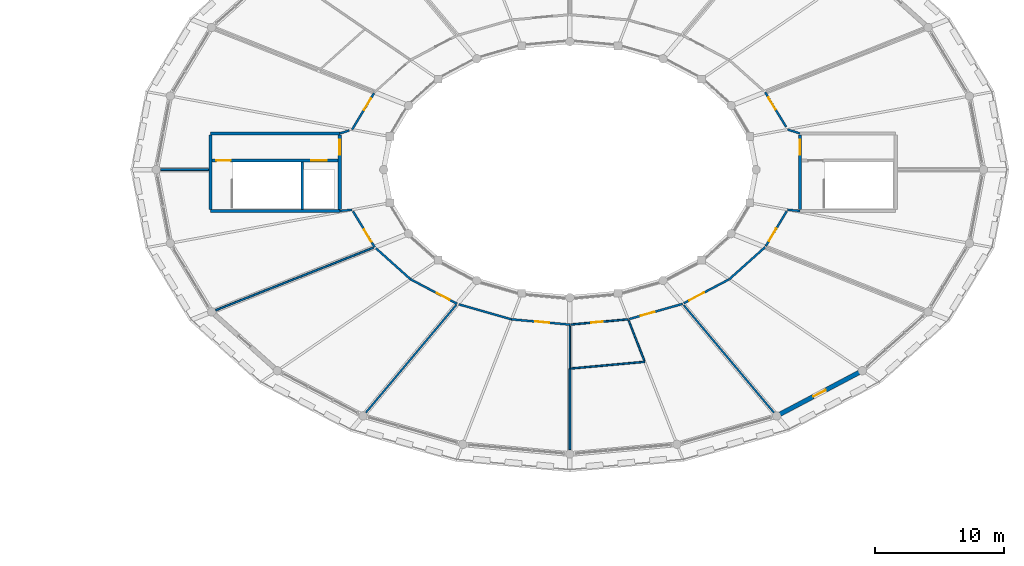
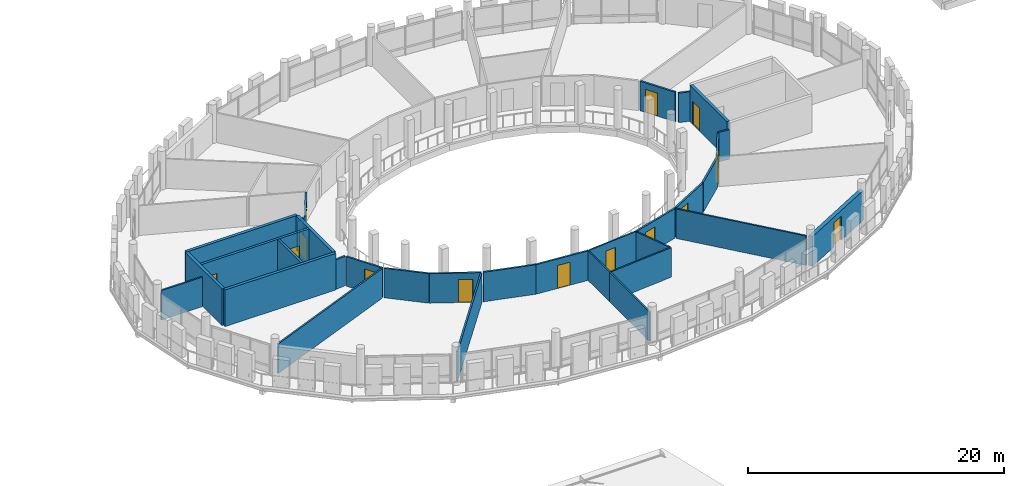
# One storey, part 70 of 84: 32 walls, 14 doors, 14 openings.
"""IFC4 building model written with IfcOpenShell, lengths in metres."""

import ifcopenshell
import ifcopenshell.guid

model = None  # the IFC model being written
_history = None  # IfcOwnerHistory: only IFC2X3 demands one
_inside = {}  # id of a spatial element -> (the spatial element, [elements in it])
_under = {}  # id of a project, library or spatial element -> (it, [spatial elements below it])
_declared = {}  # id of a project -> (the project, [libraries it declares])
_typed = {}  # id of a type object -> (the type object, [elements of that type])
_made_of = {}  # id of a material, layer set ... -> (it, [elements and type objects made of it])


def new_model(schema):
    """Start an empty IFC model of exactly this schema.

    Asked for "IFC4X3", IfcOpenShell would pick the latest addendum, in which some entities
    have other attributes; the version numbers below select the first issue.
    IFC2X3 requires an IfcOwnerHistory on every rooted entity: one is made here for all.
    """
    global model, _history
    if schema == "IFC4X3":
        model = ifcopenshell.file(schema_version=(4, 3, 0, 0))
    else:
        model = ifcopenshell.file(schema=schema)
    _inside.clear()
    _under.clear()
    _declared.clear()
    _typed.clear()
    _made_of.clear()
    _history = None
    if model.schema == "IFC2X3":
        org = make("IfcOrganization", Name="unknown")
        user = make(
            "IfcPersonAndOrganization",
            ThePerson=make("IfcPerson", FamilyName="unknown"),
            TheOrganization=org,
        )
        app = make(
            "IfcApplication",
            ApplicationDeveloper=org,
            Version="unknown",
            ApplicationFullName="unknown",
            ApplicationIdentifier="unknown",
        )
        _history = make(
            "IfcOwnerHistory",
            OwningUser=user,
            OwningApplication=app,
            ChangeAction="ADDED",
            CreationDate=0,
        )
    return model


def make(cls, **values):
    """One entity of the class cls with the attributes given. An attribute that is None is left unset."""
    return model.create_entity(
        cls, **{name: value for name, value in values.items() if value is not None}
    )


def rooted(cls, **values):
    """An entity with a GlobalId (a new one), such as an element, a storey or a relation."""
    return make(cls, GlobalId=ifcopenshell.guid.new(), OwnerHistory=_history, **values)


def si_unit(unit_type, name, prefix=None):
    """IfcSIUnit, for example si_unit("LENGTHUNIT", "METRE", prefix="MILLI")."""
    return make("IfcSIUnit", UnitType=unit_type, Prefix=prefix, Name=name)


def assignment(units):
    """IfcUnitAssignment: the units of a project."""
    return None if units is None else make("IfcUnitAssignment", Units=units)


def point(xyz):
    """IfcCartesianPoint."""
    return None if xyz is None else make("IfcCartesianPoint", Coordinates=xyz)


def direction(xyz):
    """IfcDirection."""
    return None if xyz is None else make("IfcDirection", DirectionRatios=xyz)


def frame(location, z_axis=None, x_axis=None):
    """IfcAxis2Placement3D, a coordinate frame: its origin and axes. An axis left out is left unset."""
    return make(
        "IfcAxis2Placement3D",
        Location=point(location),
        Axis=direction(z_axis),
        RefDirection=direction(x_axis),
    )


def frame_2d(location, x_axis=None):
    """IfcAxis2Placement2D, a coordinate frame in the plane: its origin and x axis."""
    return make(
        "IfcAxis2Placement2D", Location=point(location), RefDirection=direction(x_axis)
    )


def origin():
    """The frame at (0, 0, 0) with its axes left unset."""
    return frame((0.0, 0.0, 0.0))


def place(relative_to, where):
    """IfcLocalPlacement: puts the frame where relative to a parent placement (None: the world)."""
    return make(
        "IfcLocalPlacement", PlacementRelTo=relative_to, RelativePlacement=where
    )


def context(
    kind, dimensions, precision=None, world=None, true_north=None, identifier=None
):
    """IfcGeometricRepresentationContext, for example the 3D "Model" context."""
    return make(
        "IfcGeometricRepresentationContext",
        ContextIdentifier=identifier,
        ContextType=kind,
        CoordinateSpaceDimension=dimensions,
        Precision=precision,
        WorldCoordinateSystem=world,
        TrueNorth=true_north,
    )


def subcontext(parent, identifier, kind, view, scale=None):
    """IfcGeometricRepresentationSubContext, for example "Body" below "Model"."""
    return make(
        "IfcGeometricRepresentationSubContext",
        ContextIdentifier=identifier,
        ContextType=kind,
        ParentContext=parent,
        TargetScale=scale,
        TargetView=view,
    )


def project(units=None, contexts=None):
    """IfcProject with its units and contexts."""
    return rooted(
        "IfcProject",
        Name="project",
        RepresentationContexts=contexts,
        UnitsInContext=assignment(units),
    )


def spatial(cls, under=None, at=None, **own):
    """A site, building, storey or space (cls), placed at a placement, below another one or the project."""
    s = rooted(cls, ObjectPlacement=at, **own)
    if under is not None:
        _under.setdefault(under.id(), (under, []))[1].append(s)
    return s


def profile(cls, at=None, kind="AREA", **sizes):
    """A parametric profile (cls). Its sizes go by their IFC names, for example OverallWidth=200.0."""
    return make(cls, ProfileType=kind, Position=at, **sizes)


def rectangle(**sizes):
    """IfcRectangleProfileDef."""
    return profile("IfcRectangleProfileDef", **sizes)


def extrude(swept, where, along, depth):
    """IfcExtrudedAreaSolid: the profile swept, set in the frame where, extruded along a direction by depth."""
    return make(
        "IfcExtrudedAreaSolid",
        SweptArea=swept,
        Position=where,
        ExtrudedDirection=direction(along),
        Depth=depth,
    )


def shape(context_of_items, identifier, shape_type, items):
    """IfcShapeRepresentation: the items that make up one representation, for example the "Body"."""
    return make(
        "IfcShapeRepresentation",
        ContextOfItems=context_of_items,
        RepresentationIdentifier=identifier,
        RepresentationType=shape_type,
        Items=items,
    )


def material(Name=None, Category=None):
    """IfcMaterial."""
    return make("IfcMaterial", Name=Name, Category=Category)


def layer(
    of_material, thickness, ventilated=None, Name=None, Category=None, Priority=None
):
    """IfcMaterialLayer: one layer of a wall or slab, of a material (None: an air gap)."""
    return make(
        "IfcMaterialLayer",
        Material=of_material,
        LayerThickness=thickness,
        IsVentilated=ventilated,
        Name=Name,
        Category=Category,
        Priority=Priority,
    )


def layer_set(layers, Name=None):
    """IfcMaterialLayerSet."""
    return make("IfcMaterialLayerSet", MaterialLayers=layers, LayerSetName=Name)


def made_of(thing, what):
    """Note that an element or type object is made of a material, layer set ...; save() writes the relation."""
    if what is not None:
        _made_of.setdefault(what.id(), (what, []))[1].append(thing)
    return thing


def type_object(cls, material=None, **own):
    """A type object (cls), such as IfcWallType, which elements share."""
    return made_of(rooted(cls, **own), material)


def element(
    cls,
    number,
    at=None,
    inside=None,
    cuts=None,
    type_object=None,
    material=None,
    context=None,
    identifier="Body",
    shape_type=None,
    held_by="IfcProductDefinitionShape",
    body=None,
    shapes=None,
    **own,
):
    """One element of the class cls, such as IfcWall. Its Tag is "e" and its number.

    at: its placement. inside: the storey or other place that contains it. cuts: it is an
    opening in that element (IfcRelVoidsElement). A single representation is given by context,
    identifier, shape_type and body (its items); several are given by shapes. held_by: the class
    of the entity that holds the representations. save() writes the other relations.
    """
    e = rooted(cls, Tag="e%d" % number, ObjectPlacement=at, **own)
    if body is not None:
        shapes = [shape(context, identifier, shape_type, body)]
    if shapes is not None:
        e.Representation = make(held_by, Representations=shapes)
    if inside is not None:
        _inside.setdefault(inside.id(), (inside, []))[1].append(e)
    if cuts is not None:
        rooted(
            "IfcRelVoidsElement", RelatingBuildingElement=cuts, RelatedOpeningElement=e
        )
    if type_object is not None:
        _typed.setdefault(type_object.id(), (type_object, []))[1].append(e)
    return made_of(e, material)


def fill(opening, filler):
    """IfcRelFillsElement: the door or window that sits in an opening."""
    return rooted(
        "IfcRelFillsElement",
        RelatingOpeningElement=opening,
        RelatedBuildingElement=filler,
    )


def aggregate(whole, parts):
    """IfcRelAggregates: a whole, such as a stair, and the parts it consists of."""
    return rooted("IfcRelAggregates", RelatingObject=whole, RelatedObjects=parts)


def save(model, path):
    """Write the relations noted so far, then the file.

    IfcRelAggregates (storeys below a building ...), IfcRelContainedInSpatialStructure (elements
    in a storey), IfcRelDefinesByType, IfcRelAssociatesMaterial and IfcRelDeclares: one each for
    every whole, place, type object, material and project.
    """
    for whole, parts in _under.values():
        aggregate(whole, parts)
    for where, things in _inside.values():
        rooted(
            "IfcRelContainedInSpatialStructure",
            RelatedElements=things,
            RelatingStructure=where,
        )
    for kind, things in _typed.values():
        rooted("IfcRelDefinesByType", RelatedObjects=things, RelatingType=kind)
    for what, things in _made_of.values():
        rooted("IfcRelAssociatesMaterial", RelatedObjects=things, RelatingMaterial=what)
    for by, libraries in _declared.values():
        rooted("IfcRelDeclares", RelatingContext=by, RelatedDefinitions=libraries)
    model.write(path)


model = new_model("IFC4")

# Units and contexts
model_context = context("Model", 3, precision=1e-05, world=origin(), true_north=direction((0.0, 1.0)))
body_context = subcontext(model_context, "Body", "Model", "MODEL_VIEW")
ifc_project = project(units=[si_unit("LENGTHUNIT", "METRE"), si_unit("AREAUNIT", "SQUARE_METRE"), si_unit("VOLUMEUNIT", "CUBIC_METRE"), si_unit("PLANEANGLEUNIT", "RADIAN"), si_unit("MASSUNIT", "GRAM", prefix="KILO")], contexts=[model_context])

# Site, building, storey
site_placement = place(None, origin())
site = spatial("IfcSite", under=ifc_project, at=site_placement, CompositionType="ELEMENT")
building_placement = place(site_placement, origin())
building = spatial("IfcBuilding", under=site, at=building_placement, Name="Zornivar Specialist Clinic", CompositionType="ELEMENT")
storey_placement = place(building_placement, frame((0.0, 0.0, 12.300048828125)))
storey = spatial("IfcBuildingStorey", under=building, at=storey_placement, Name="L03", CompositionType="ELEMENT", Elevation=12.300048828125)

# Wall, opening, door
ifc_material_1 = material(Name="Masonry Drum Limestone Portal Wall", Category="masonry")
ifc_layer_1 = layer(ifc_material_1, 0.35009765625)
ifc_layer_set_1 = layer_set([ifc_layer_1], Name="Masonry Drum Limestone Portal Wall")
wall_type_1 = type_object("IfcWallType", Name="EW-DRUM-350", PredefinedType="SOLIDWALL", material=ifc_layer_set_1)
wall_1_placement = place(storey_placement, frame((109.60009765625, 38.547119140625, 0.0), z_axis=(0.0, 0.0, 1.0), x_axis=(0.884425099405, 0.466682165443, 0.0)))
wall_1 = element("IfcWall", 1, at=wall_1_placement, inside=storey, type_object=wall_type_1, Name="ew:V1:L03:c20", PredefinedType="SOLIDWALL", context=body_context, shape_type="SweptSolid", body=[
    extrude(rectangle(XDim=7.492919921875, YDim=0.35009765625, at=frame_2d((3.74658203125, 0.0))), origin(), (0.0, 0.0, 1.0), 2.849853515625),
])
opening_1_placement = place(wall_1_placement, frame((3.197021484375, 0.0, 0.0)))
opening_1 = element("IfcOpeningElement", 2, at=opening_1_placement, cuts=wall_1, Name="Opening BD-02", PredefinedType="OPENING", context=body_context, shape_type="SweptSolid", body=[
    extrude(rectangle(XDim=1.10009765625, YDim=2.300048828125, at=frame_2d((0.550048828125, 1.14990234375))), frame((0.0, 0.18505859375, 0.0), z_axis=(0.0, -1.0, 0.0), x_axis=(1.0, 0.0, 0.0)), (0.0, 0.0, 1.0), 0.3701171875),
])
ifc_material_2 = material(Name="Thermally Broken Glazed Aluminium Door", Category="aluminium")
door_type_1 = type_object("IfcDoorType", Name="BD-BALC-1100x2300", OperationType="NOTDEFINED", PredefinedType="DOOR", material=ifc_material_2)
door_1_placement = place(opening_1_placement, origin())
door_1 = element("IfcDoor", 3, at=door_1_placement, inside=storey, type_object=door_type_1, Name="door:V1:L03:c20", OperationType="SINGLE_SWING_RIGHT", OverallHeight=2.300048828125, OverallWidth=1.10009765625, PredefinedType="DOOR", context=body_context, shape_type="SweptSolid", body=[
    extrude(rectangle(XDim=1.10009765625, YDim=2.300048828125, at=frame_2d((0.550048828125, 1.14990234375))), frame((0.0, 0.02490234375, 0.0), z_axis=(0.0, -1.0, 0.0), x_axis=(1.0, 0.0, 0.0)), (0.0, 0.0, 1.0), 0.050048828125),
])
fill(opening_1, door_1)

# Walls
ifc_material_3 = material(Name="Acoustic Clinical Stud Partition")
ifc_layer_2 = layer(ifc_material_3, 0.139892578125)
ifc_layer_set_2 = layer_set([ifc_layer_2], Name="Acoustic Clinical Stud Partition")
wall_type_2 = type_object("IfcWallType", Name="IW-CLIN-140", PredefinedType="PARTITIONING", material=ifc_layer_set_2)
wall_2_placement = place(storey_placement, frame((65.655029296875, 57.60009765625, 0.0), z_axis=(0.0, 0.0, 1.0), x_axis=(-1.0, 0.0, 0.0)))
element("IfcWall", 4, at=wall_2_placement, inside=storey, type_object=wall_type_2, Name="iw:L03:023", PredefinedType="PARTITIONING", context=body_context, shape_type="SweptSolid", body=[
    extrude(rectangle(XDim=3.719970703125, YDim=0.139892578125, at=frame_2d((1.85986328125, 0.0))), origin(), (0.0, 0.0, 1.0), 2.820068359375),
])
wall_3_placement = place(storey_placement, frame((78.39697265625, 51.56591796875, 0.0), z_axis=(0.0, 0.0, 1.0), x_axis=(-0.929434419676, -0.368987343309, 0.0)))
element("IfcWall", 5, at=wall_3_placement, inside=storey, type_object=wall_type_2, Name="iw:L03:029", PredefinedType="PARTITIONING", context=body_context, shape_type="SweptSolid", body=[
    extrude(rectangle(XDim=13.125244140625, YDim=0.139892578125, at=frame_2d((6.5625, 0.0))), origin(), (0.0, 0.0, 1.0), 2.820068359375),
])
wall_4_placement = place(storey_placement, frame((84.80810546875, 47.131103515625, 0.0), z_axis=(0.0, 0.0, 1.0), x_axis=(-0.643103623671, -0.765779164787, 0.0)))
element("IfcWall", 6, at=wall_4_placement, inside=storey, type_object=wall_type_2, Name="iw:L03:032", PredefinedType="PARTITIONING", context=body_context, shape_type="SweptSolid", body=[
    extrude(rectangle(XDim=10.8740234375, YDim=0.139892578125, at=frame_2d((5.43701171875, 0.0))), origin(), (0.0, 0.0, 1.0), 2.820068359375),
])
wall_5_placement = place(storey_placement, frame((93.60009765625, 42.195068359375, 0.0), z_axis=(0.0, 0.0, 1.0), x_axis=(0.0, -1.0, 0.0)))
element("IfcWall", 7, at=wall_5_placement, inside=storey, type_object=wall_type_2, Name="iw:L03:036", PredefinedType="PARTITIONING", context=body_context, shape_type="SweptSolid", body=[
    extrude(rectangle(XDim=6.260009765625, YDim=0.139892578125, at=frame_2d((3.1298828125, 0.0))), origin(), (0.0, 0.0, 1.0), 2.820068359375),
])
wall_6_placement = place(storey_placement, frame((102.406005859375, 47.113037109375, 0.0), z_axis=(0.0, 0.0, 1.0), x_axis=(0.643158316092, -0.765733230598, 0.0)))
element("IfcWall", 8, at=wall_6_placement, inside=storey, type_object=wall_type_2, Name="iw:L03:041", PredefinedType="PARTITIONING", context=body_context, shape_type="SweptSolid", body=[
    extrude(rectangle(XDim=10.85107421875, YDim=0.139892578125, at=frame_2d((5.425537109375, 0.0))), origin(), (0.0, 0.0, 1.0), 2.820068359375),
])
ifc_material_4 = material(Name="Gypsum Fire-Rated Double Stud Partition")
ifc_layer_3 = layer(ifc_material_4, 0.159912109375)
ifc_layer_set_3 = layer_set([ifc_layer_3], Name="Gypsum Fire-Rated Double Stud Partition")
wall_type_3 = type_object("IfcWallType", Name="IW-CORR-EI60-160", PredefinedType="PARTITIONING", material=ifc_layer_set_3)
wall_7_placement = place(storey_placement, frame((111.39990234375, 60.39990234375, 0.0), z_axis=(0.0, 0.0, 1.0), x_axis=(-0.953076237522, 0.302730384122, 0.0)))
element("IfcWall", 9, at=wall_7_placement, inside=storey, type_object=wall_type_3, Name="iw:L03:000", PredefinedType="PARTITIONING", context=body_context, shape_type="SweptSolid", body=[
    extrude(rectangle(XDim=1.000732421875, YDim=0.159912109375, at=frame_2d((0.50048828125, 0.0))), origin(), (0.0, 0.0, 1.0), 2.820068359375),
])

# Wall, opening, door
wall_8_placement = place(storey_placement, frame((110.325927734375, 60.903076171875, 0.0), z_axis=(0.0, 0.0, 1.0), x_axis=(-0.516060018324, 0.856552425417, 0.0)))
wall_8 = element("IfcWall", 10, at=wall_8_placement, inside=storey, type_object=wall_type_3, Name="iw:L03:001", PredefinedType="PARTITIONING", context=body_context, shape_type="SweptSolid", body=[
    extrude(rectangle(XDim=3.142822265625, YDim=0.159912109375, at=frame_2d((1.5712890625, 0.0))), origin(), (0.0, 0.0, 1.0), 2.820068359375),
])
opening_2_placement = place(wall_8_placement, frame((1.56298828125, 0.0, 0.0)))
opening_2 = element("IfcOpeningElement", 11, at=opening_2_placement, cuts=wall_8, Name="Opening ID-05", PredefinedType="OPENING", context=body_context, shape_type="SweptSolid", body=[
    extrude(rectangle(XDim=1.10009765625, YDim=2.199951171875, at=frame_2d((0.550048828125, 1.10009765625))), frame((0.0, 0.08984375, 0.0), z_axis=(0.0, -1.0, 0.0), x_axis=(1.0, 0.0, 0.0)), (0.0, 0.0, 1.0), 0.179931640625),
])
ifc_material_5 = material(Name="Solid-Core Hygienic Laminate Timber Door", Category="wood")
door_type_2 = type_object("IfcDoorType", Name="ID-THER-1100x2200", OperationType="NOTDEFINED", PredefinedType="DOOR", material=ifc_material_5)
door_2_placement = place(opening_2_placement, origin())
door_2 = element("IfcDoor", 12, at=door_2_placement, inside=storey, type_object=door_type_2, Name="door:space:V1:L03:rm:01", OperationType="SINGLE_SWING_LEFT", OverallHeight=2.199951171875, OverallWidth=1.10009765625, PredefinedType="DOOR", context=body_context, shape_type="SweptSolid", body=[
    extrude(rectangle(XDim=1.10009765625, YDim=2.199951171875, at=frame_2d((0.550048828125, 1.10009765625))), frame((0.0, 0.02490234375, 0.0), z_axis=(0.0, -1.0, 0.0), x_axis=(1.0, 0.0, 0.0)), (0.0, 0.0, 1.0), 0.050048828125),
])
fill(opening_2, door_2)

wall_9_placement = place(storey_placement, frame((78.447998046875, 63.514892578125, 0.0), z_axis=(0.0, 0.0, 1.0), x_axis=(-0.516036958114, -0.856566318425, 0.0)))
wall_9 = element("IfcWall", 13, at=wall_9_placement, inside=storey, type_object=wall_type_3, Name="iw:L03:025", PredefinedType="PARTITIONING", context=body_context, shape_type="SweptSolid", body=[
    extrude(rectangle(XDim=3.282958984375, YDim=0.159912109375, at=frame_2d((1.6416015625, 0.0))), origin(), (0.0, 0.0, 1.0), 2.820068359375),
])
opening_3_placement = place(wall_9_placement, frame((0.47998046875, 0.0, 0.0)))
opening_3 = element("IfcOpeningElement", 14, at=opening_3_placement, cuts=wall_9, Name="Opening ID-15", PredefinedType="OPENING", context=body_context, shape_type="SweptSolid", body=[
    extrude(rectangle(XDim=1.050048828125, YDim=2.199951171875, at=frame_2d((0.52490234375, 1.10009765625))), frame((0.0, 0.08984375, 0.0), z_axis=(0.0, -1.0, 0.0), x_axis=(1.0, 0.0, 0.0)), (0.0, 0.0, 1.0), 0.179931640625),
])
ifc_material_6 = material(Name="Solid-Core Hygienic Laminate Timber Door", Category="wood")
door_type_3 = type_object("IfcDoorType", Name="ID-COUNS-1050x2200", OperationType="NOTDEFINED", PredefinedType="DOOR", material=ifc_material_6)
door_3_placement = place(opening_3_placement, origin())
door_3 = element("IfcDoor", 15, at=door_3_placement, inside=storey, type_object=door_type_3, Name="door:space:V1:L03:rm:08", OperationType="SINGLE_SWING_RIGHT", OverallHeight=2.199951171875, OverallWidth=1.050048828125, PredefinedType="DOOR", context=body_context, shape_type="SweptSolid", body=[
    extrude(rectangle(XDim=1.050048828125, YDim=2.199951171875, at=frame_2d((0.52490234375, 1.10009765625))), frame((0.0, 0.02490234375, 0.0), z_axis=(0.0, -1.0, 0.0), x_axis=(1.0, 0.0, 0.0)), (0.0, 0.0, 1.0), 0.050048828125),
])
fill(opening_3, door_3)

# Walls
wall_10_placement = place(storey_placement, frame((76.531982421875, 60.632080078125, 0.0), z_axis=(0.0, 0.0, 1.0), x_axis=(-0.953192648892, -0.302363645463, 0.0)))
element("IfcWall", 16, at=wall_10_placement, inside=storey, type_object=wall_type_3, Name="iw:L03:026", PredefinedType="PARTITIONING", context=body_context, shape_type="SweptSolid", body=[
    extrude(rectangle(XDim=0.767822265625, YDim=0.159912109375, at=frame_2d((0.3837890625, 0.0))), origin(), (0.0, 0.0, 1.0), 2.820068359375),
])
wall_11_placement = place(storey_placement, frame((75.800048828125, 54.39990234375, 0.0), z_axis=(0.0, 0.0, 1.0), x_axis=(0.994851446462, 0.101343966136, 0.0)))
element("IfcWall", 17, at=wall_11_placement, inside=storey, type_object=wall_type_3, Name="iw:L03:027", PredefinedType="PARTITIONING", context=body_context, shape_type="SweptSolid", body=[
    extrude(rectangle(XDim=0.958740234375, YDim=0.159912109375, at=frame_2d((0.4794921875, 0.0))), origin(), (0.0, 0.0, 1.0), 2.820068359375),
])

# Wall, opening, door
wall_12_placement = place(storey_placement, frame((76.826904296875, 54.3759765625, 0.0), z_axis=(0.0, 0.0, 1.0), x_axis=(0.515993285702, -0.85659262728, 0.0)))
wall_12 = element("IfcWall", 18, at=wall_12_placement, inside=storey, type_object=wall_type_3, Name="iw:L03:028", PredefinedType="PARTITIONING", context=body_context, shape_type="SweptSolid", body=[
    extrude(rectangle(XDim=3.23486328125, YDim=0.159912109375, at=frame_2d((1.617431640625, 0.0))), origin(), (0.0, 0.0, 1.0), 2.820068359375),
])
opening_4_placement = place(wall_12_placement, frame((1.655029296875, 0.0, 0.0)))
opening_4 = element("IfcOpeningElement", 19, at=opening_4_placement, cuts=wall_12, Name="Opening ID-05", PredefinedType="OPENING", context=body_context, shape_type="SweptSolid", body=[
    extrude(rectangle(XDim=1.10009765625, YDim=2.199951171875, at=frame_2d((0.550048828125, 1.10009765625))), frame((0.0, 0.08984375, 0.0), z_axis=(0.0, -1.0, 0.0), x_axis=(1.0, 0.0, 0.0)), (0.0, 0.0, 1.0), 0.179931640625),
])
door_4_placement = place(opening_4_placement, origin())
door_4 = element("IfcDoor", 20, at=door_4_placement, inside=storey, type_object=door_type_2, Name="door:space:V1:L03:rm:09", OperationType="SINGLE_SWING_LEFT", OverallHeight=2.199951171875, OverallWidth=1.10009765625, PredefinedType="DOOR", context=body_context, shape_type="SweptSolid", body=[
    extrude(rectangle(XDim=1.10009765625, YDim=2.199951171875, at=frame_2d((0.550048828125, 1.10009765625))), frame((0.0, 0.02490234375, 0.0), z_axis=(0.0, -1.0, 0.0), x_axis=(1.0, 0.0, 0.0)), (0.0, 0.0, 1.0), 0.050048828125),
])
fill(opening_4, door_4)

# Wall
wall_13_placement = place(storey_placement, frame((78.595947265625, 51.51611328125, 0.0), z_axis=(0.0, 0.0, 1.0), x_axis=(0.744797991907, -0.667290005358, 0.0)))
element("IfcWall", 21, at=wall_13_placement, inside=storey, type_object=wall_type_3, Name="iw:L03:030", PredefinedType="PARTITIONING", context=body_context, shape_type="SweptSolid", body=[
    extrude(rectangle(XDim=3.587646484375, YDim=0.159912109375, at=frame_2d((1.7939453125, 0.0))), origin(), (0.0, 0.0, 1.0), 2.820068359375),
])

# Wall, opening, door
wall_14_placement = place(storey_placement, frame((81.279052734375, 49.115966796875, 0.0), z_axis=(0.0, 0.0, 1.0), x_axis=(0.884439067329, -0.4666556934, 0.0)))
wall_14 = element("IfcWall", 22, at=wall_14_placement, inside=storey, type_object=wall_type_3, Name="iw:L03:031", PredefinedType="PARTITIONING", context=body_context, shape_type="SweptSolid", body=[
    extrude(rectangle(XDim=4.0712890625, YDim=0.159912109375, at=frame_2d((2.03564453125, 0.0))), origin(), (0.0, 0.0, 1.0), 2.820068359375),
])
opening_5_placement = place(wall_14_placement, frame((2.2900390625, 0.0, 0.0)))
opening_5 = element("IfcOpeningElement", 23, at=opening_5_placement, cuts=wall_14, Name="Opening ID-05", PredefinedType="OPENING", context=body_context, shape_type="SweptSolid", body=[
    extrude(rectangle(XDim=1.10009765625, YDim=2.199951171875, at=frame_2d((0.550048828125, 1.10009765625))), frame((0.0, 0.08984375, 0.0), z_axis=(0.0, -1.0, 0.0), x_axis=(1.0, 0.0, 0.0)), (0.0, 0.0, 1.0), 0.179931640625),
])
door_5_placement = place(opening_5_placement, origin())
door_5 = element("IfcDoor", 24, at=door_5_placement, inside=storey, type_object=door_type_2, Name="door:space:V1:L03:rm:10", OperationType="SINGLE_SWING_RIGHT", OverallHeight=2.199951171875, OverallWidth=1.10009765625, PredefinedType="DOOR", context=body_context, shape_type="SweptSolid", body=[
    extrude(rectangle(XDim=1.10009765625, YDim=2.199951171875, at=frame_2d((0.550048828125, 1.10009765625))), frame((0.0, 0.02490234375, 0.0), z_axis=(0.0, -1.0, 0.0), x_axis=(1.0, 0.0, 0.0)), (0.0, 0.0, 1.0), 0.050048828125),
])
fill(opening_5, door_5)

# Wall
wall_15_placement = place(storey_placement, frame((85.0029296875, 47.180908203125, 0.0), z_axis=(0.0, 0.0, 1.0), x_axis=(0.961816382147, -0.273695537111, 0.0)))
element("IfcWall", 25, at=wall_15_placement, inside=storey, type_object=wall_type_3, Name="iw:L03:033", PredefinedType="PARTITIONING", context=body_context, shape_type="SweptSolid", body=[
    extrude(rectangle(XDim=4.2451171875, YDim=0.159912109375, at=frame_2d((2.12255859375, 0.0))), origin(), (0.0, 0.0, 1.0), 2.820068359375),
])

# Wall, opening, door
wall_16_placement = place(storey_placement, frame((89.097900390625, 46.01806640625, 0.0), z_axis=(0.0, 0.0, 1.0), x_axis=(0.995919723809, -0.090243579984, 0.0)))
wall_16 = element("IfcWall", 26, at=wall_16_placement, inside=storey, type_object=wall_type_3, Name="iw:L03:034", PredefinedType="PARTITIONING", context=body_context, shape_type="SweptSolid", body=[
    extrude(rectangle(XDim=4.520751953125, YDim=0.159912109375, at=frame_2d((2.26025390625, 0.0))), origin(), (0.0, 0.0, 1.0), 2.820068359375),
])
opening_6_placement = place(wall_16_placement, frame((1.822021484375, 0.0, 0.0)))
opening_6 = element("IfcOpeningElement", 27, at=opening_6_placement, cuts=wall_16, Name="Opening ID-05", PredefinedType="OPENING", context=body_context, shape_type="SweptSolid", body=[
    extrude(rectangle(XDim=1.10009765625, YDim=2.199951171875, at=frame_2d((0.550048828125, 1.10009765625))), frame((0.0, 0.08984375, 0.0), z_axis=(0.0, -1.0, 0.0), x_axis=(1.0, 0.0, 0.0)), (0.0, 0.0, 1.0), 0.179931640625),
])
door_6_placement = place(opening_6_placement, origin())
door_6 = element("IfcDoor", 28, at=door_6_placement, inside=storey, type_object=door_type_2, Name="door:space:V1:L03:rm:11", OperationType="SINGLE_SWING_LEFT", OverallHeight=2.199951171875, OverallWidth=1.10009765625, PredefinedType="DOOR", context=body_context, shape_type="SweptSolid", body=[
    extrude(rectangle(XDim=1.10009765625, YDim=2.199951171875, at=frame_2d((0.550048828125, 1.10009765625))), frame((0.0, 0.02490234375, 0.0), z_axis=(0.0, -1.0, 0.0), x_axis=(1.0, 0.0, 0.0)), (0.0, 0.0, 1.0), 0.050048828125),
])
fill(opening_6, door_6)

wall_17_placement = place(storey_placement, frame((98.197998046875, 46.04296875, 0.0), z_axis=(0.0, 0.0, 1.0), x_axis=(0.961809330403, 0.273720317021, 0.0)))
wall_17 = element("IfcWall", 29, at=wall_17_placement, inside=storey, type_object=wall_type_3, Name="iw:L03:040", PredefinedType="PARTITIONING", context=body_context, shape_type="SweptSolid", body=[
    extrude(rectangle(XDim=4.28564453125, YDim=0.159912109375, at=frame_2d((2.142822265625, 0.0))), origin(), (0.0, 0.0, 1.0), 2.820068359375),
])
opening_7_placement = place(wall_17_placement, frame((0.925048828125, 0.0, 0.0)))
opening_7 = element("IfcOpeningElement", 30, at=opening_7_placement, cuts=wall_17, Name="Opening ID-05", PredefinedType="OPENING", context=body_context, shape_type="SweptSolid", body=[
    extrude(rectangle(XDim=1.10009765625, YDim=2.199951171875, at=frame_2d((0.550048828125, 1.10009765625))), frame((0.0, 0.08984375, 0.0), z_axis=(0.0, -1.0, 0.0), x_axis=(1.0, 0.0, 0.0)), (0.0, 0.0, 1.0), 0.179931640625),
])
door_7_placement = place(opening_7_placement, origin())
door_7 = element("IfcDoor", 31, at=door_7_placement, inside=storey, type_object=door_type_2, Name="door:space:V1:L03:rm:13", OperationType="SINGLE_SWING_LEFT", OverallHeight=2.199951171875, OverallWidth=1.10009765625, PredefinedType="DOOR", context=body_context, shape_type="SweptSolid", body=[
    extrude(rectangle(XDim=1.10009765625, YDim=2.199951171875, at=frame_2d((0.550048828125, 1.10009765625))), frame((0.0, 0.02490234375, 0.0), z_axis=(0.0, -1.0, 0.0), x_axis=(1.0, 0.0, 0.0)), (0.0, 0.0, 1.0), 0.050048828125),
])
fill(opening_7, door_7)

# Wall
wall_18_placement = place(storey_placement, frame((105.931884765625, 49.1220703125, 0.0), z_axis=(0.0, 0.0, 1.0), x_axis=(0.744906651337, 0.667168704897, 0.0)))
element("IfcWall", 32, at=wall_18_placement, inside=storey, type_object=wall_type_3, Name="iw:L03:042", PredefinedType="PARTITIONING", context=body_context, shape_type="SweptSolid", body=[
    extrude(rectangle(XDim=3.7216796875, YDim=0.159912109375, at=frame_2d((1.86083984375, 0.0))), origin(), (0.0, 0.0, 1.0), 2.820068359375),
])

# Wall, opening, door
wall_19_placement = place(storey_placement, frame((102.410888671875, 47.263916015625, 0.0), z_axis=(0.0, 0.0, 1.0), x_axis=(0.884432009223, 0.466669070179, 0.0)))
wall_19 = element("IfcWall", 33, at=wall_19_placement, inside=storey, type_object=wall_type_3, Name="iw:L03:044", PredefinedType="PARTITIONING", context=body_context, shape_type="SweptSolid", body=[
    extrude(rectangle(XDim=3.96875, YDim=0.159912109375, at=frame_2d((1.984375, 0.0))), origin(), (0.0, 0.0, 1.0), 2.820068359375),
])
opening_8_placement = place(wall_19_placement, frame((0.47998046875, 0.0, 0.0)))
opening_8 = element("IfcOpeningElement", 34, at=opening_8_placement, cuts=wall_19, Name="Opening ID-13", PredefinedType="OPENING", context=body_context, shape_type="SweptSolid", body=[
    extrude(rectangle(XDim=1.300048828125, YDim=2.25, at=frame_2d((0.64990234375, 1.125))), frame((0.0, 0.08984375, 0.0), z_axis=(0.0, -1.0, 0.0), x_axis=(1.0, 0.0, 0.0)), (0.0, 0.0, 1.0), 0.179931640625),
])
ifc_material_7 = material(Name="Solid-Core Hygienic Laminate Timber Door", Category="wood")
door_type_4 = type_object("IfcDoorType", Name="ID-RECOV-1300x2250", OperationType="NOTDEFINED", PredefinedType="DOOR", material=ifc_material_7)
door_8_placement = place(opening_8_placement, origin())
door_8 = element("IfcDoor", 35, at=door_8_placement, inside=storey, type_object=door_type_4, Name="door:space:V1:L03:rm:14", OperationType="SINGLE_SWING_RIGHT", OverallHeight=2.25, OverallWidth=1.300048828125, PredefinedType="DOOR", context=body_context, shape_type="SweptSolid", body=[
    extrude(rectangle(XDim=1.300048828125, YDim=2.25, at=frame_2d((0.64990234375, 1.125))), frame((0.0, 0.02490234375, 0.0), z_axis=(0.0, -1.0, 0.0), x_axis=(1.0, 0.0, 0.0)), (0.0, 0.0, 1.0), 0.050048828125),
])
fill(opening_8, door_8)

# Wall
wall_20_placement = place(storey_placement, frame((110.446044921875, 54.4970703125, 0.0), z_axis=(0.0, 0.0, 1.0), x_axis=(0.994851446462, -0.101343966136, 0.0)))
element("IfcWall", 36, at=wall_20_placement, inside=storey, type_object=wall_type_3, Name="iw:L03:045", PredefinedType="PARTITIONING", context=body_context, shape_type="SweptSolid", body=[
    extrude(rectangle(XDim=0.958740234375, YDim=0.159912109375, at=frame_2d((0.4794921875, 0.0))), origin(), (0.0, 0.0, 1.0), 2.820068359375),
])

# Wall, opening, door
wall_21_placement = place(storey_placement, frame((108.75, 51.680908203125, 0.0), z_axis=(0.0, 0.0, 1.0), x_axis=(0.51589875111, 0.85664956581, 0.0)))
wall_21 = element("IfcWall", 37, at=wall_21_placement, inside=storey, type_object=wall_type_3, Name="iw:L03:046", PredefinedType="PARTITIONING", context=body_context, shape_type="SweptSolid", body=[
    extrude(rectangle(XDim=3.14599609375, YDim=0.159912109375, at=frame_2d((1.572998046875, 0.0))), origin(), (0.0, 0.0, 1.0), 2.820068359375),
])
opening_9_placement = place(wall_21_placement, frame((0.47998046875, 0.0, 0.0)))
opening_9 = element("IfcOpeningElement", 38, at=opening_9_placement, cuts=wall_21, Name="Opening ID-05", PredefinedType="OPENING", context=body_context, shape_type="SweptSolid", body=[
    extrude(rectangle(XDim=1.10009765625, YDim=2.199951171875, at=frame_2d((0.550048828125, 1.10009765625))), frame((0.0, 0.08984375, 0.0), z_axis=(0.0, -1.0, 0.0), x_axis=(1.0, 0.0, 0.0)), (0.0, 0.0, 1.0), 0.179931640625),
])
door_9_placement = place(opening_9_placement, origin())
door_9 = element("IfcDoor", 39, at=door_9_placement, inside=storey, type_object=door_type_2, Name="door:space:V1:L03:rm:15", OperationType="SINGLE_SWING_LEFT", OverallHeight=2.199951171875, OverallWidth=1.10009765625, PredefinedType="DOOR", context=body_context, shape_type="SweptSolid", body=[
    extrude(rectangle(XDim=1.10009765625, YDim=2.199951171875, at=frame_2d((0.550048828125, 1.10009765625))), frame((0.0, 0.02490234375, 0.0), z_axis=(0.0, -1.0, 0.0), x_axis=(1.0, 0.0, 0.0)), (0.0, 0.0, 1.0), 0.050048828125),
])
fill(opening_9, door_9)

# Walls
ifc_material_8 = material(Name="Moisture-Resistant Sanitary Partition")
ifc_layer_4 = layer(ifc_material_8, 0.1298828125)
ifc_layer_set_4 = layer_set([ifc_layer_4], Name="Moisture-Resistant Sanitary Partition")
wall_type_4 = type_object("IfcWallType", Name="IW-WET-130", PredefinedType="PARTITIONING", material=ifc_layer_set_4)
wall_22_placement = place(storey_placement, frame((93.60009765625, 45.510009765625, 0.0), z_axis=(0.0, 0.0, 1.0), x_axis=(0.0, -1.0, 0.0)))
element("IfcWall", 40, at=wall_22_placement, inside=storey, type_object=wall_type_4, Name="iw:L03:035", PredefinedType="PARTITIONING", context=body_context, shape_type="SweptSolid", body=[
    extrude(rectangle(XDim=3.302978515625, YDim=0.1298828125, at=frame_2d((1.6513671875, 0.0))), origin(), (0.0, 0.0, 1.0), 2.820068359375),
])
wall_23_placement = place(storey_placement, frame((99.39501953125, 42.73193359375, 0.0), z_axis=(0.0, 0.0, 1.0), x_axis=(-0.995921454067, -0.090224482979, 0.0)))
element("IfcWall", 41, at=wall_23_placement, inside=storey, type_object=wall_type_4, Name="iw:L03:037", PredefinedType="PARTITIONING", context=body_context, shape_type="SweptSolid", body=[
    extrude(rectangle(XDim=5.728515625, YDim=0.1298828125, at=frame_2d((2.8642578125, 0.0))), origin(), (0.0, 0.0, 1.0), 2.820068359375),
])

# Wall, opening, door
wall_24_placement = place(storey_placement, frame((93.68505859375, 45.617919921875, 0.0), z_axis=(0.0, 0.0, 1.0), x_axis=(0.995923749059, 0.090199146668, 0.0)))
wall_24 = element("IfcWall", 42, at=wall_24_placement, inside=storey, type_object=wall_type_4, Name="iw:L03:038", PredefinedType="PARTITIONING", context=body_context, shape_type="SweptSolid", body=[
    extrude(rectangle(XDim=4.447021484375, YDim=0.1298828125, at=frame_2d((2.2236328125, 0.0))), origin(), (0.0, 0.0, 1.0), 2.820068359375),
])
opening_10_placement = place(wall_24_placement, frame((1.55810546875, 0.0, 0.0)))
opening_10 = element("IfcOpeningElement", 43, at=opening_10_placement, cuts=wall_24, Name="Opening ID-08", PredefinedType="OPENING", context=body_context, shape_type="SweptSolid", body=[
    extrude(rectangle(XDim=0.89990234375, YDim=2.10009765625, at=frame_2d((0.449951171875, 1.050048828125))), frame((0.0, 0.074951171875, 0.0), z_axis=(0.0, -1.0, 0.0), x_axis=(1.0, 0.0, 0.0)), (0.0, 0.0, 1.0), 0.14990234375),
])
ifc_material_9 = material(Name="Solid-Core Hygienic Laminate Timber Door", Category="wood")
door_type_5 = type_object("IfcDoorType", Name="ID-WC-STD-0900x2100", OperationType="NOTDEFINED", PredefinedType="DOOR", material=ifc_material_9)
door_10_placement = place(opening_10_placement, origin())
door_10 = element("IfcDoor", 44, at=door_10_placement, inside=storey, type_object=door_type_5, Name="door:space:V1:L03:rm:12", OperationType="SINGLE_SWING_RIGHT", OverallHeight=2.10009765625, OverallWidth=0.89990234375, PredefinedType="DOOR", context=body_context, shape_type="SweptSolid", body=[
    extrude(rectangle(XDim=0.89990234375, YDim=2.10009765625, at=frame_2d((0.449951171875, 1.050048828125))), frame((0.0, 0.02490234375, 0.0), z_axis=(0.0, -1.0, 0.0), x_axis=(1.0, 0.0, 0.0)), (0.0, 0.0, 1.0), 0.050048828125),
])
fill(opening_10, door_10)

# Walls
wall_25_placement = place(storey_placement, frame((98.15087890625, 45.925048828125, 0.0), z_axis=(0.0, 0.0, 1.0), x_axis=(0.362920895293, -0.931819952437, 0.0)))
element("IfcWall", 45, at=wall_25_placement, inside=storey, type_object=wall_type_4, Name="iw:L03:039", PredefinedType="PARTITIONING", context=body_context, shape_type="SweptSolid", body=[
    extrude(rectangle(XDim=3.325927734375, YDim=0.1298828125, at=frame_2d((1.6630859375, 0.0))), origin(), (0.0, 0.0, 1.0), 2.820068359375),
])
ifc_material_10 = material(Name="Concrete C35/45", Category="concrete")
ifc_layer_5 = layer(ifc_material_10, 0.260009765625)
ifc_layer_set_5 = layer_set([ifc_layer_5], Name="Concrete C35/45")
wall_type_5 = type_object("IfcWallType", Name="SW-CORE-260", PredefinedType="SHEAR", material=ifc_layer_set_5)
wall_26_placement = place(storey_placement, frame((65.800048828125, 54.39990234375, 0.0), z_axis=(0.0, 0.0, 1.0), x_axis=(1.0, 0.0, 0.0)))
element("IfcWall", 46, at=wall_26_placement, inside=storey, type_object=wall_type_5, Name="sw:C3:L03:w0", PredefinedType="SHEAR", context=body_context, shape_type="SweptSolid", body=[
    extrude(rectangle(XDim=10.0, YDim=0.260009765625, at=frame_2d((5.0, 0.0))), origin(), (0.0, 0.0, 1.0), 3.5),
])

# Wall, opening, door
wall_27_placement = place(storey_placement, frame((75.800048828125, 54.530029296875, 0.0), z_axis=(0.0, 0.0, 1.0), x_axis=(0.0, 1.0, 0.0)))
wall_27 = element("IfcWall", 47, at=wall_27_placement, inside=storey, type_object=wall_type_5, Name="sw:C3:L03:w1", PredefinedType="SHEAR", context=body_context, shape_type="SweptSolid", body=[
    extrude(rectangle(XDim=5.739990234375, YDim=0.260009765625, at=frame_2d((2.8701171875, 0.0))), origin(), (0.0, 0.0, 1.0), 3.5),
])
opening_11_placement = place(wall_27_placement, frame((4.239990234375, 0.0, 0.0)))
opening_11 = element("IfcOpeningElement", 48, at=opening_11_placement, cuts=wall_27, Name="Opening FD-03", PredefinedType="OPENING", context=body_context, shape_type="SweptSolid", body=[
    extrude(rectangle(XDim=1.14990234375, YDim=2.199951171875, at=frame_2d((0.574951171875, 1.10009765625))), frame((0.0, 0.139892578125, 0.0), z_axis=(0.0, -1.0, 0.0), x_axis=(1.0, 0.0, 0.0)), (0.0, 0.0, 1.0), 0.280029296875),
])
ifc_material_11 = material(Name="Solid-Core Hygienic Laminate Timber Door", Category="wood")
door_type_6 = type_object("IfcDoorType", Name="FD-LOBBY-UPPER-1150x2200", OperationType="NOTDEFINED", PredefinedType="DOOR", material=ifc_material_11)
door_11_placement = place(opening_11_placement, origin())
door_11 = element("IfcDoor", 49, at=door_11_placement, inside=storey, type_object=door_type_6, Name="door:C3:L03:lob", OperationType="SINGLE_SWING_RIGHT", OverallHeight=2.199951171875, OverallWidth=1.14990234375, PredefinedType="DOOR", context=body_context, shape_type="SweptSolid", body=[
    extrude(rectangle(XDim=1.14990234375, YDim=2.199951171875, at=frame_2d((0.574951171875, 1.10009765625))), frame((0.0, 0.02490234375, 0.0), z_axis=(0.0, -1.0, 0.0), x_axis=(1.0, 0.0, 0.0)), (0.0, 0.0, 1.0), 0.050048828125),
])
fill(opening_11, door_11)

# Walls
wall_28_placement = place(storey_placement, frame((75.800048828125, 60.39990234375, 0.0), z_axis=(0.0, 0.0, 1.0), x_axis=(-1.0, 0.0, 0.0)))
element("IfcWall", 50, at=wall_28_placement, inside=storey, type_object=wall_type_5, Name="sw:C3:L03:w2", PredefinedType="SHEAR", context=body_context, shape_type="SweptSolid", body=[
    extrude(rectangle(XDim=10.0, YDim=0.260009765625, at=frame_2d((5.0, 0.0))), origin(), (0.0, 0.0, 1.0), 3.5),
])
wall_29_placement = place(storey_placement, frame((65.800048828125, 60.27001953125, 0.0), z_axis=(0.0, 0.0, 1.0), x_axis=(0.0, -1.0, 0.0)))
element("IfcWall", 51, at=wall_29_placement, inside=storey, type_object=wall_type_5, Name="sw:C3:L03:w3", PredefinedType="SHEAR", context=body_context, shape_type="SweptSolid", body=[
    extrude(rectangle(XDim=5.739990234375, YDim=0.260009765625, at=frame_2d((2.8701171875, 0.0))), origin(), (0.0, 0.0, 1.0), 3.5),
])

# Wall, opening, door
wall_30_placement = place(storey_placement, frame((111.39990234375, 60.27001953125, 0.0), z_axis=(0.0, 0.0, 1.0), x_axis=(0.0, -1.0, 0.0)))
wall_30 = element("IfcWall", 52, at=wall_30_placement, inside=storey, type_object=wall_type_5, Name="sw:C4:L03:w3", PredefinedType="SHEAR", context=body_context, shape_type="SweptSolid", body=[
    extrude(rectangle(XDim=5.739990234375, YDim=0.260009765625, at=frame_2d((2.8701171875, 0.0))), origin(), (0.0, 0.0, 1.0), 3.5),
])
opening_12_placement = place(wall_30_placement, frame((0.35009765625, 0.0, 0.0)))
opening_12 = element("IfcOpeningElement", 53, at=opening_12_placement, cuts=wall_30, Name="Opening FD-03", PredefinedType="OPENING", context=body_context, shape_type="SweptSolid", body=[
    extrude(rectangle(XDim=1.14990234375, YDim=2.199951171875, at=frame_2d((0.574951171875, 1.10009765625))), frame((0.0, 0.139892578125, 0.0), z_axis=(0.0, -1.0, 0.0), x_axis=(1.0, 0.0, 0.0)), (0.0, 0.0, 1.0), 0.280029296875),
])
door_12_placement = place(opening_12_placement, origin())
door_12 = element("IfcDoor", 54, at=door_12_placement, inside=storey, type_object=door_type_6, Name="door:C4:L03:lob", OperationType="SINGLE_SWING_RIGHT", OverallHeight=2.199951171875, OverallWidth=1.14990234375, PredefinedType="DOOR", context=body_context, shape_type="SweptSolid", body=[
    extrude(rectangle(XDim=1.14990234375, YDim=2.199951171875, at=frame_2d((0.574951171875, 1.10009765625))), frame((0.0, 0.02490234375, 0.0), z_axis=(0.0, -1.0, 0.0), x_axis=(1.0, 0.0, 0.0)), (0.0, 0.0, 1.0), 0.050048828125),
])
fill(opening_12, door_12)

# Wall
ifc_material_12 = material(Name="Concrete C30/37", Category="concrete")
ifc_layer_6 = layer(ifc_material_12, 0.199951171875)
ifc_layer_set_6 = layer_set([ifc_layer_6], Name="Concrete C30/37")
wall_type_6 = type_object("IfcWallType", Name="SW-LIFT-200", PredefinedType="SHEAR", material=ifc_layer_set_6)
wall_31_placement = place(storey_placement, frame((72.89990234375, 54.530029296875, 0.0), z_axis=(0.0, 0.0, 1.0), x_axis=(0.0, 1.0, 0.0)))
element("IfcWall", 55, at=wall_31_placement, inside=storey, type_object=wall_type_6, Name="sw:C3:L03:sdiv", PredefinedType="SHEAR", context=body_context, shape_type="SweptSolid", body=[
    extrude(rectangle(XDim=3.669921875, YDim=0.199951171875, at=frame_2d((1.8349609375, 0.0))), origin(), (0.0, 0.0, 1.0), 3.5),
])

# Wall, openings, doors
ifc_material_13 = material(Name="Concrete C30/37", Category="concrete")
ifc_layer_7 = layer(ifc_material_13, 0.219970703125)
ifc_layer_set_7 = layer_set([ifc_layer_7], Name="Concrete C30/37")
wall_type_7 = type_object("IfcWallType", Name="SW-SHAFT-220", PredefinedType="SHEAR", material=ifc_layer_set_7)
wall_32_placement = place(storey_placement, frame((65.929931640625, 58.31005859375, 0.0), z_axis=(0.0, 0.0, 1.0), x_axis=(1.0, 0.0, 0.0)))
wall_32 = element("IfcWall", 56, at=wall_32_placement, inside=storey, type_object=wall_type_7, Name="sw:C3:L03:stwall", PredefinedType="SHEAR", context=body_context, shape_type="SweptSolid", body=[
    extrude(rectangle(XDim=9.739990234375, YDim=0.219970703125, at=frame_2d((4.8701171875, 0.0))), origin(), (0.0, 0.0, 1.0), 3.5),
])
opening_13_placement = place(wall_32_placement, frame((0.320068359375, 0.0, 0.0)))
opening_13 = element("IfcOpeningElement", 57, at=opening_13_placement, cuts=wall_32, Name="Opening FD-02", PredefinedType="OPENING", context=body_context, shape_type="SweptSolid", body=[
    extrude(rectangle(XDim=1.10009765625, YDim=2.14990234375, at=frame_2d((0.550048828125, 1.074951171875))), frame((0.0, 0.119873046875, 0.0), z_axis=(0.0, -1.0, 0.0), x_axis=(1.0, 0.0, 0.0)), (0.0, 0.0, 1.0), 0.239990234375),
])
opening_14_placement = place(wall_32_placement, frame((7.669921875, 0.0, 0.0)))
opening_14 = element("IfcOpeningElement", 58, at=opening_14_placement, cuts=wall_32, Name="Opening LD-01", PredefinedType="OPENING", context=body_context, shape_type="SweptSolid", body=[
    extrude(rectangle(XDim=1.199951171875, YDim=2.199951171875, at=frame_2d((0.60009765625, 1.10009765625))), frame((0.0, 0.119873046875, 0.0), z_axis=(0.0, -1.0, 0.0), x_axis=(1.0, 0.0, 0.0)), (0.0, 0.0, 1.0), 0.239990234375),
])
ifc_material_14 = material(Name="Solid-Core Hygienic Laminate Timber Door", Category="wood")
door_type_7 = type_object("IfcDoorType", Name="FD-STAIR-1100x2150", OperationType="NOTDEFINED", PredefinedType="DOOR", material=ifc_material_14)
door_13_placement = place(opening_13_placement, origin())
door_13 = element("IfcDoor", 59, at=door_13_placement, inside=storey, type_object=door_type_7, Name="door:C3:L03:stair", OperationType="SINGLE_SWING_LEFT", OverallHeight=2.14990234375, OverallWidth=1.10009765625, PredefinedType="DOOR", context=body_context, shape_type="SweptSolid", body=[
    extrude(rectangle(XDim=1.10009765625, YDim=2.14990234375, at=frame_2d((0.550048828125, 1.074951171875))), frame((0.0, 0.02490234375, 0.0), z_axis=(0.0, -1.0, 0.0), x_axis=(1.0, 0.0, 0.0)), (0.0, 0.0, 1.0), 0.050048828125),
])
fill(opening_13, door_13)
ifc_material_15 = material(Name="Stainless Steel Lift Landing Sliding Door", Category="steel")
door_type_8 = type_object("IfcDoorType", Name="LD-LIFT-1200x2200", OperationType="NOTDEFINED", PredefinedType="DOOR", material=ifc_material_15)
door_14_placement = place(opening_14_placement, origin())
door_14 = element("IfcDoor", 60, at=door_14_placement, inside=storey, type_object=door_type_8, Name="door:C3:L03:lift", OperationType="DOUBLE_DOOR_SLIDING", OverallHeight=2.199951171875, OverallWidth=1.199951171875, PredefinedType="DOOR", context=body_context, shape_type="SweptSolid", body=[
    extrude(rectangle(XDim=1.199951171875, YDim=2.199951171875, at=frame_2d((0.60009765625, 1.10009765625))), frame((0.0, 0.02490234375, 0.0), z_axis=(0.0, -1.0, 0.0), x_axis=(1.0, 0.0, 0.0)), (0.0, 0.0, 1.0), 0.050048828125),
])
fill(opening_14, door_14)

save(model, "model.ifc")
